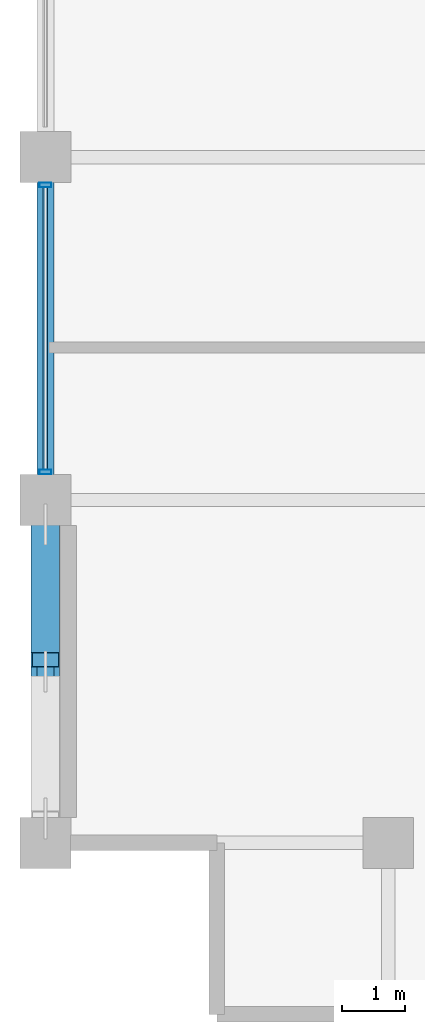
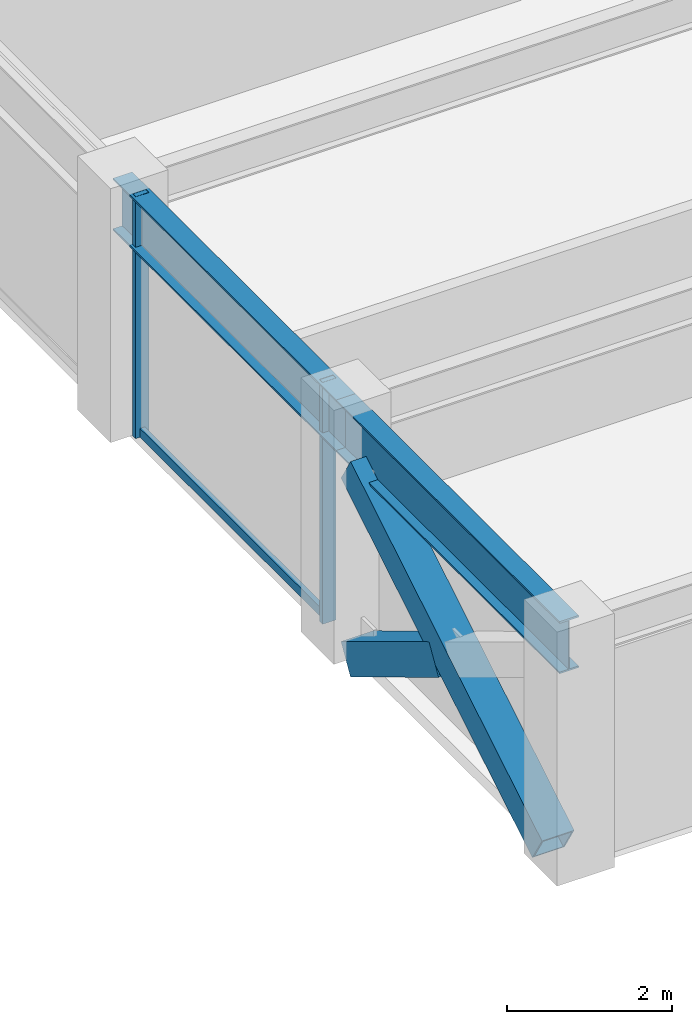
# One storey, part 4 of 32: 5 members, 2 beams, 1 element without a shape of its own.
"""IFC4 building model written with IfcOpenShell, lengths in metres."""

import ifcopenshell
import ifcopenshell.guid

model = None  # the IFC model being written
_history = None  # IfcOwnerHistory: only IFC2X3 demands one
_inside = {}  # id of a spatial element -> (the spatial element, [elements in it])
_under = {}  # id of a project, library or spatial element -> (it, [spatial elements below it])
_declared = {}  # id of a project -> (the project, [libraries it declares])
_typed = {}  # id of a type object -> (the type object, [elements of that type])
_made_of = {}  # id of a material, layer set ... -> (it, [elements and type objects made of it])


def new_model(schema):
    """Start an empty IFC model of exactly this schema.

    Asked for "IFC4X3", IfcOpenShell would pick the latest addendum, in which some entities
    have other attributes; the version numbers below select the first issue.
    IFC2X3 requires an IfcOwnerHistory on every rooted entity: one is made here for all.
    """
    global model, _history
    if schema == "IFC4X3":
        model = ifcopenshell.file(schema_version=(4, 3, 0, 0))
    else:
        model = ifcopenshell.file(schema=schema)
    _inside.clear()
    _under.clear()
    _declared.clear()
    _typed.clear()
    _made_of.clear()
    _history = None
    if model.schema == "IFC2X3":
        org = make("IfcOrganization", Name="unknown")
        user = make(
            "IfcPersonAndOrganization",
            ThePerson=make("IfcPerson", FamilyName="unknown"),
            TheOrganization=org,
        )
        app = make(
            "IfcApplication",
            ApplicationDeveloper=org,
            Version="unknown",
            ApplicationFullName="unknown",
            ApplicationIdentifier="unknown",
        )
        _history = make(
            "IfcOwnerHistory",
            OwningUser=user,
            OwningApplication=app,
            ChangeAction="ADDED",
            CreationDate=0,
        )
    return model


def make(cls, **values):
    """One entity of the class cls with the attributes given. An attribute that is None is left unset."""
    return model.create_entity(
        cls, **{name: value for name, value in values.items() if value is not None}
    )


def rooted(cls, **values):
    """An entity with a GlobalId (a new one), such as an element, a storey or a relation."""
    return make(cls, GlobalId=ifcopenshell.guid.new(), OwnerHistory=_history, **values)


def si_unit(unit_type, name, prefix=None):
    """IfcSIUnit, for example si_unit("LENGTHUNIT", "METRE", prefix="MILLI")."""
    return make("IfcSIUnit", UnitType=unit_type, Prefix=prefix, Name=name)


def assignment(units):
    """IfcUnitAssignment: the units of a project."""
    return None if units is None else make("IfcUnitAssignment", Units=units)


def point(xyz):
    """IfcCartesianPoint."""
    return None if xyz is None else make("IfcCartesianPoint", Coordinates=xyz)


def direction(xyz):
    """IfcDirection."""
    return None if xyz is None else make("IfcDirection", DirectionRatios=xyz)


def frame(location, z_axis=None, x_axis=None):
    """IfcAxis2Placement3D, a coordinate frame: its origin and axes. An axis left out is left unset."""
    return make(
        "IfcAxis2Placement3D",
        Location=point(location),
        Axis=direction(z_axis),
        RefDirection=direction(x_axis),
    )


def frame_2d(location, x_axis=None):
    """IfcAxis2Placement2D, a coordinate frame in the plane: its origin and x axis."""
    return make(
        "IfcAxis2Placement2D", Location=point(location), RefDirection=direction(x_axis)
    )


def origin():
    """The frame at (0, 0, 0) with its axes left unset."""
    return frame((0.0, 0.0, 0.0))


def origin_2d():
    """The frame at (0, 0) in the plane with its x axis left unset."""
    return frame_2d((0.0, 0.0))


def place(relative_to, where):
    """IfcLocalPlacement: puts the frame where relative to a parent placement (None: the world)."""
    return make(
        "IfcLocalPlacement", PlacementRelTo=relative_to, RelativePlacement=where
    )


def context(
    kind, dimensions, precision=None, world=None, true_north=None, identifier=None
):
    """IfcGeometricRepresentationContext, for example the 3D "Model" context."""
    return make(
        "IfcGeometricRepresentationContext",
        ContextIdentifier=identifier,
        ContextType=kind,
        CoordinateSpaceDimension=dimensions,
        Precision=precision,
        WorldCoordinateSystem=world,
        TrueNorth=true_north,
    )


def subcontext(parent, identifier, kind, view, scale=None):
    """IfcGeometricRepresentationSubContext, for example "Body" below "Model"."""
    return make(
        "IfcGeometricRepresentationSubContext",
        ContextIdentifier=identifier,
        ContextType=kind,
        ParentContext=parent,
        TargetScale=scale,
        TargetView=view,
    )


def project(units=None, contexts=None):
    """IfcProject with its units and contexts."""
    return rooted(
        "IfcProject",
        Name="project",
        RepresentationContexts=contexts,
        UnitsInContext=assignment(units),
    )


def spatial(cls, under=None, at=None, **own):
    """A site, building, storey or space (cls), placed at a placement, below another one or the project."""
    s = rooted(cls, ObjectPlacement=at, **own)
    if under is not None:
        _under.setdefault(under.id(), (under, []))[1].append(s)
    return s


def profile(cls, at=None, kind="AREA", **sizes):
    """A parametric profile (cls). Its sizes go by their IFC names, for example OverallWidth=200.0."""
    return make(cls, ProfileType=kind, Position=at, **sizes)


def hollow_rectangle(**sizes):
    """IfcRectangleHollowProfileDef."""
    return profile("IfcRectangleHollowProfileDef", **sizes)


def i_section(**sizes):
    """IfcIShapeProfileDef."""
    return profile("IfcIShapeProfileDef", **sizes)


def extrude(swept, where, along, depth):
    """IfcExtrudedAreaSolid: the profile swept, set in the frame where, extruded along a direction by depth."""
    return make(
        "IfcExtrudedAreaSolid",
        SweptArea=swept,
        Position=where,
        ExtrudedDirection=direction(along),
        Depth=depth,
    )


def shape(context_of_items, identifier, shape_type, items):
    """IfcShapeRepresentation: the items that make up one representation, for example the "Body"."""
    return make(
        "IfcShapeRepresentation",
        ContextOfItems=context_of_items,
        RepresentationIdentifier=identifier,
        RepresentationType=shape_type,
        Items=items,
    )


def material(Name=None, Category=None):
    """IfcMaterial."""
    return make("IfcMaterial", Name=Name, Category=Category)


def layer(
    of_material, thickness, ventilated=None, Name=None, Category=None, Priority=None
):
    """IfcMaterialLayer: one layer of a wall or slab, of a material (None: an air gap)."""
    return make(
        "IfcMaterialLayer",
        Material=of_material,
        LayerThickness=thickness,
        IsVentilated=ventilated,
        Name=Name,
        Category=Category,
        Priority=Priority,
    )


def layer_set(layers, Name=None):
    """IfcMaterialLayerSet."""
    return make("IfcMaterialLayerSet", MaterialLayers=layers, LayerSetName=Name)


def material_profile(
    of_material, cross_section, Name=None, Category=None, Priority=None
):
    """IfcMaterialProfile: a cross section and its material."""
    return make(
        "IfcMaterialProfile",
        Name=Name,
        Material=of_material,
        Profile=cross_section,
        Priority=Priority,
        Category=Category,
    )


def profile_set(profiles, Name=None, composite=None):
    """IfcMaterialProfileSet."""
    return make(
        "IfcMaterialProfileSet",
        Name=Name,
        MaterialProfiles=profiles,
        CompositeProfile=composite,
    )


def made_of(thing, what):
    """Note that an element or type object is made of a material, layer set ...; save() writes the relation."""
    if what is not None:
        _made_of.setdefault(what.id(), (what, []))[1].append(thing)
    return thing


def type_object(cls, material=None, **own):
    """A type object (cls), such as IfcWallType, which elements share."""
    return made_of(rooted(cls, **own), material)


def element(
    cls,
    number,
    at=None,
    inside=None,
    cuts=None,
    type_object=None,
    material=None,
    context=None,
    identifier="Body",
    shape_type=None,
    held_by="IfcProductDefinitionShape",
    body=None,
    shapes=None,
    **own,
):
    """One element of the class cls, such as IfcWall. Its Tag is "e" and its number.

    at: its placement. inside: the storey or other place that contains it. cuts: it is an
    opening in that element (IfcRelVoidsElement). A single representation is given by context,
    identifier, shape_type and body (its items); several are given by shapes. held_by: the class
    of the entity that holds the representations. save() writes the other relations.
    """
    e = rooted(cls, Tag="e%d" % number, ObjectPlacement=at, **own)
    if body is not None:
        shapes = [shape(context, identifier, shape_type, body)]
    if shapes is not None:
        e.Representation = make(held_by, Representations=shapes)
    if inside is not None:
        _inside.setdefault(inside.id(), (inside, []))[1].append(e)
    if cuts is not None:
        rooted(
            "IfcRelVoidsElement", RelatingBuildingElement=cuts, RelatedOpeningElement=e
        )
    if type_object is not None:
        _typed.setdefault(type_object.id(), (type_object, []))[1].append(e)
    return made_of(e, material)


def aggregate(whole, parts):
    """IfcRelAggregates: a whole, such as a stair, and the parts it consists of."""
    return rooted("IfcRelAggregates", RelatingObject=whole, RelatedObjects=parts)


def save(model, path):
    """Write the relations noted so far, then the file.

    IfcRelAggregates (storeys below a building ...), IfcRelContainedInSpatialStructure (elements
    in a storey), IfcRelDefinesByType, IfcRelAssociatesMaterial and IfcRelDeclares: one each for
    every whole, place, type object, material and project.
    """
    for whole, parts in _under.values():
        aggregate(whole, parts)
    for where, things in _inside.values():
        rooted(
            "IfcRelContainedInSpatialStructure",
            RelatedElements=things,
            RelatingStructure=where,
        )
    for kind, things in _typed.values():
        rooted("IfcRelDefinesByType", RelatedObjects=things, RelatingType=kind)
    for what, things in _made_of.values():
        rooted("IfcRelAssociatesMaterial", RelatedObjects=things, RelatingMaterial=what)
    for by, libraries in _declared.values():
        rooted("IfcRelDeclares", RelatingContext=by, RelatedDefinitions=libraries)
    model.write(path)


model = new_model("IFC4")

# Units and contexts
model_context = context("Model", 3, precision=1e-05, world=origin(), true_north=direction((0.0, 1.0)))
body_context = subcontext(model_context, "Body", "Model", "MODEL_VIEW")
ifc_project = project(units=[si_unit("LENGTHUNIT", "METRE"), si_unit("AREAUNIT", "SQUARE_METRE"), si_unit("VOLUMEUNIT", "CUBIC_METRE"), si_unit("PLANEANGLEUNIT", "RADIAN"), si_unit("MASSUNIT", "GRAM", prefix="KILO")], contexts=[model_context])

# Site, building, storey
site_placement = place(None, origin())
site = spatial("IfcSite", under=ifc_project, at=site_placement, CompositionType="ELEMENT")
building_placement = place(site_placement, origin())
building = spatial("IfcBuilding", under=site, at=building_placement, Name="Surkhivell Harbour Commons", CompositionType="ELEMENT")
storey_placement = place(building_placement, frame((0.0, 0.0, 216.0)))
storey = spatial("IfcBuildingStorey", under=building, at=storey_placement, Name="L56", CompositionType="ELEMENT", Elevation=216.0)

# Beams
ifc_material_1 = material(Name="Steel S355", Category="steel")
ifc_material_profile_1 = material_profile(ifc_material_1, i_section(OverallWidth=0.26806640625, OverallDepth=0.77001953125, WebThickness=0.015625, FlangeThickness=0.025390625, at=origin_2d()), Name="UB762x267x197")
ifc_profile_set_1 = profile_set([ifc_material_profile_1], Name="Steel S355")
beam_type = type_object("IfcBeamType", Name="BM-SPN-762", PredefinedType="SPANDREL", material=ifc_profile_set_1)
beam_1_placement = place(storey_placement, frame((-27.0, -16.199951171875, 3.18505859375), z_axis=(0.0, 1.0, 0.0), x_axis=(-1.0, 0.0, 0.0)))
element("IfcBeam", 1, at=beam_1_placement, inside=storey, type_object=beam_type, Name="L56 Tube Spandrel (-27.0,-16.2)", PredefinedType="SPANDREL", context=body_context, shape_type="SweptSolid", body=[
    extrude(i_section(OverallWidth=0.26806640625, OverallDepth=0.77001953125, WebThickness=0.015625, FlangeThickness=0.025390625, at=origin_2d()), origin(), (0.0, 0.0, 1.0), 5.39990234375),
])
beam_2_placement = place(storey_placement, frame((-27.0, -10.800048828125, 3.18505859375), z_axis=(0.0, 1.0, 0.0), x_axis=(-1.0, 0.0, 0.0)))
element("IfcBeam", 2, at=beam_2_placement, inside=storey, type_object=beam_type, Name="L56 Tube Spandrel (-27.0,-10.8)", PredefinedType="SPANDREL", context=body_context, shape_type="SweptSolid", body=[
    extrude(i_section(OverallWidth=0.26806640625, OverallDepth=0.77001953125, WebThickness=0.015625, FlangeThickness=0.025390625, at=origin_2d()), origin(), (0.0, 0.0, 1.0), 5.400146484375),
])

# Curtain wall, members
ifc_material_2 = material(Name="Anodised pale-metal aluminium and insulated glazing", Category="aluminium")
ifc_layer = layer(ifc_material_2, 0.18994140625)
ifc_layer_set = layer_set([ifc_layer], Name="Anodised pale-metal aluminium and insulated glazing")
curtain_wall_type = type_object("IfcCurtainWallType", Name="CW-SYS-Z3", PredefinedType="NOTDEFINED", material=ifc_layer_set)
curtain_wall_placement = place(storey_placement, origin())
curtain_wall = element("IfcCurtainWall", 3, at=curtain_wall_placement, inside=storey, type_object=curtain_wall_type, Name="L56 Curtain Wall CW-L56-E12S1", PredefinedType="NOTDEFINED")
ifc_material_3 = material(Name="Anodised pale-metal aluminium alloy 6063-T6", Category="aluminium")
ifc_material_profile_2 = material_profile(ifc_material_3, hollow_rectangle(XDim=0.074951171875, YDim=0.18994140625, WallThickness=0.00390625, at=origin_2d()), Name="ALU-MULL-75x190")
ifc_profile_set_2 = profile_set([ifc_material_profile_2], Name="Anodised pale-metal aluminium alloy 6063-T6")
member_type_1 = type_object("IfcMemberType", Name="CWM-190", PredefinedType="MULLION", material=ifc_profile_set_2)
member_1_placement = place(storey_placement, frame((-27.0, -5.839599609375, 0.0), z_axis=(0.0, 0.0, 1.0), x_axis=(0.0, -1.0, 0.0)))
member_1 = element("IfcMember", 4, at=member_1_placement, type_object=member_type_1, Name="CW-Z3 mullion 6", PredefinedType="MULLION", context=body_context, shape_type="SweptSolid", body=[
    extrude(hollow_rectangle(XDim=0.074951171875, YDim=0.18994140625, WallThickness=0.00390625, at=origin_2d()), origin(), (0.0, 0.0, 1.0), 3.570068359375),
])
member_2_placement = place(storey_placement, frame((-27.0, -10.360595703125, 0.0), z_axis=(0.0, 0.0, 1.0), x_axis=(0.0, -1.0, 0.0)))
member_2 = element("IfcMember", 5, at=member_2_placement, type_object=member_type_1, Name="CW-Z3 mullion 7", PredefinedType="MULLION", context=body_context, shape_type="SweptSolid", body=[
    extrude(hollow_rectangle(XDim=0.074951171875, YDim=0.18994140625, WallThickness=0.00390625, at=origin_2d()), origin(), (0.0, 0.0, 1.0), 3.570068359375),
])
ifc_material_4 = material(Name="Champagne anodised aluminium alloy 6063-T6", Category="aluminium")
ifc_material_profile_3 = material_profile(ifc_material_4, hollow_rectangle(XDim=0.070068359375, YDim=0.1298828125, WallThickness=0.00341796875, at=origin_2d()), Name="ALU-TRAN-70x130")
ifc_profile_set_3 = profile_set([ifc_material_profile_3], Name="Champagne anodised aluminium alloy 6063-T6")
member_type_2 = type_object("IfcMemberType", Name="CWT-130", PredefinedType="USERDEFINED", material=ifc_profile_set_3)
member_3_placement = place(storey_placement, frame((-27.0, -5.876953125, 0.06494140625), z_axis=(0.0, -1.0, 0.0), x_axis=(1.0, 0.0, 0.0)))
member_3 = element("IfcMember", 6, at=member_3_placement, type_object=member_type_2, Name="CW-Z3 transom 6.1", ObjectType="TRANSOM", PredefinedType="USERDEFINED", context=body_context, shape_type="SweptSolid", body=[
    extrude(hollow_rectangle(XDim=0.070068359375, YDim=0.1298828125, WallThickness=0.00341796875, at=origin_2d()), origin(), (0.0, 0.0, 1.0), 4.446044921875),
])
aggregate(curtain_wall, [member_1, member_2, member_3])

# Members
ifc_material_5 = material(Name="Steel S460", Category="steel")
ifc_material_profile_4 = material_profile(ifc_material_5, hollow_rectangle(XDim=0.449951171875, YDim=0.449951171875, WallThickness=0.02197265625, at=origin_2d()), Name="SHS450x450x22")
ifc_profile_set_4 = profile_set([ifc_material_profile_4], Name="Steel S460")
member_type_3 = type_object("IfcMemberType", Name="MEM-BRC-SHS450", PredefinedType="BRACE", material=ifc_profile_set_4)
member_4_placement = place(storey_placement, frame((-27.0, -15.81494140625, 0.008056640625), z_axis=(0.0, 0.856023742961, 0.516936506243), x_axis=(-1.0, 0.0, 0.0)))
element("IfcMember", 7, at=member_4_placement, inside=storey, type_object=member_type_3, Name="L56 Perimeter Mega-Brace MB- 10", PredefinedType="BRACE", context=body_context, shape_type="SweptSolid", body=[
    extrude(hollow_rectangle(XDim=0.449951171875, YDim=0.449951171875, WallThickness=0.02197265625, at=origin_2d()), origin(), (0.0, 0.0, 1.0), 5.40869140625),
])
member_5_placement = place(storey_placement, frame((-27.0, -11.18505859375, 0.008056640625), z_axis=(0.0, -0.856061168755, 0.516874525731), x_axis=(1.0, 0.0, 0.0)))
element("IfcMember", 8, at=member_5_placement, inside=storey, type_object=member_type_3, Name="L56 Perimeter Mega-Brace MB- 11", PredefinedType="BRACE", context=body_context, shape_type="SweptSolid", body=[
    extrude(hollow_rectangle(XDim=0.449951171875, YDim=0.449951171875, WallThickness=0.02197265625, at=origin_2d()), origin(), (0.0, 0.0, 1.0), 2.48828125),
])

save(model, "model.ifc")
